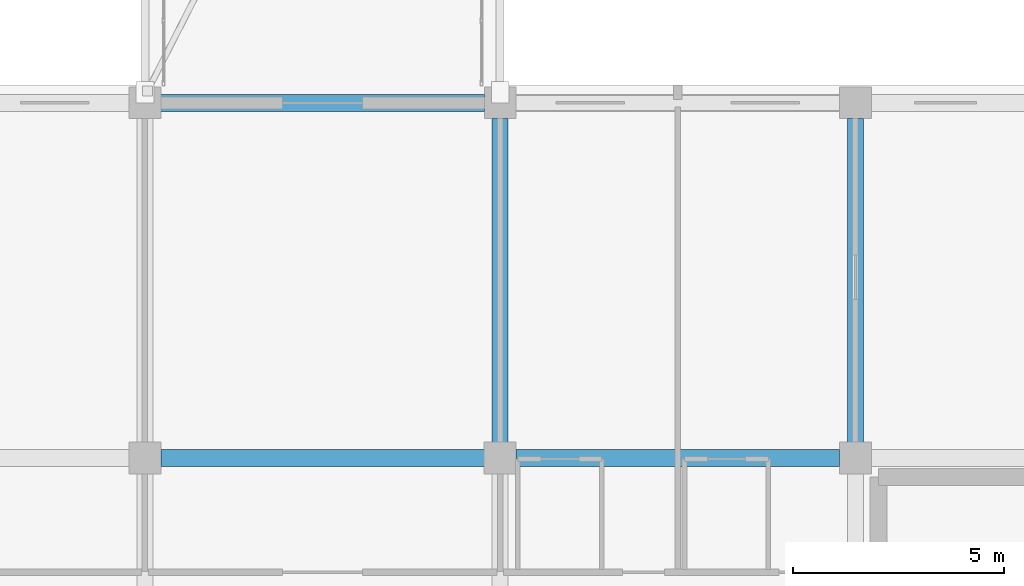
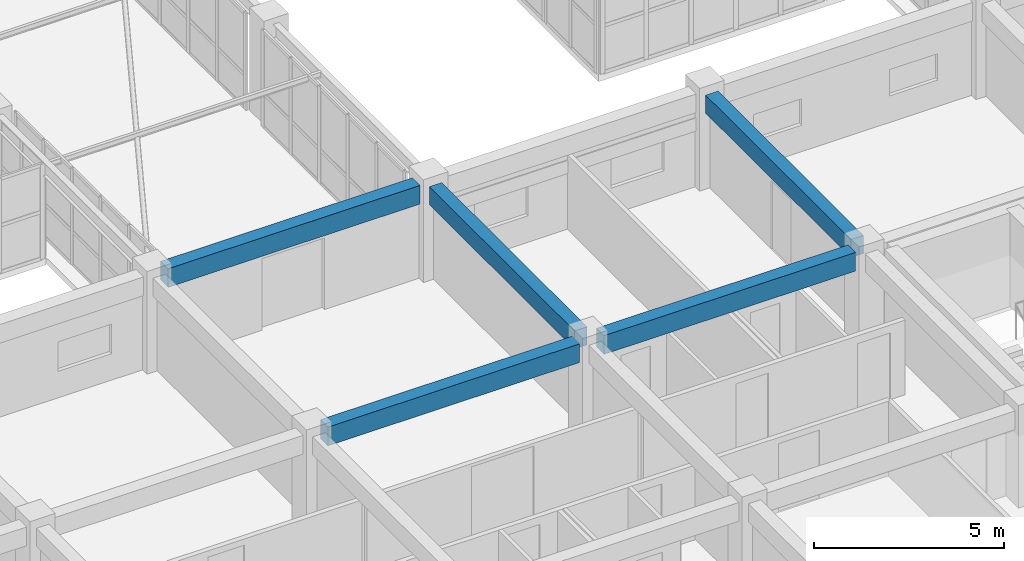
# One storey, part 49 of 200: 5 beams.
"""IFC4 building model written with IfcOpenShell, lengths in metres."""

from ifc_helpers import new_model, si_unit, direction, frame, origin, origin_2d, place, context, subcontext, project, spatial, rectangle, extrude, material, material_profile, profile_set, type_object, element, save


model = new_model("IFC4")

# Units and contexts
model_context = context("Model", 3, precision=1e-05, world=origin(), true_north=direction((0.0, 1.0)))
body_context = subcontext(model_context, "Body", "Model", "MODEL_VIEW")
ifc_project = project(units=[si_unit("LENGTHUNIT", "METRE"), si_unit("AREAUNIT", "SQUARE_METRE"), si_unit("VOLUMEUNIT", "CUBIC_METRE"), si_unit("PLANEANGLEUNIT", "RADIAN"), si_unit("MASSUNIT", "GRAM", prefix="KILO")], contexts=[model_context])

# Site, building, storey
site_placement = place(None, origin())
site = spatial("IfcSite", under=ifc_project, at=site_placement, CompositionType="ELEMENT")
building_placement = place(site_placement, origin())
building = spatial("IfcBuilding", under=site, at=building_placement, Name="Trelvath General Hospital", CompositionType="ELEMENT")
storey_placement = place(building_placement, frame((0.0, 0.0, 4.800048828125)))
storey = spatial("IfcBuildingStorey", under=building, at=storey_placement, Name="L01", CompositionType="ELEMENT", Elevation=4.800048828125)

# Beams
ifc_material_1 = material(Name="Concrete C35/45", Category="concrete")
ifc_material_profile_1 = material_profile(ifc_material_1, rectangle(XDim=0.3798828125, YDim=0.580078125, at=origin_2d()), Name="RCB380x580")
ifc_profile_set_1 = profile_set([ifc_material_profile_1], Name="Concrete C35/45")
beam_type_1 = type_object("IfcBeamType", Name="Beam RC380x580", PredefinedType="BEAM", material=ifc_profile_set_1)
for number, where, z_axis, x_axis, name in (
    (1, (84.0, 17.175048828125, 2.72998046875), (0.0, 1.0, 0.0), (-1.0, 0.0, 0.0), "Grid Beam BY-110C"),
    (2, (92.39990234375, 17.175048828125, 2.72998046875), (0.0, 1.0, 0.0), (-1.0, 0.0, 0.0), "Grid Beam BY-111C"),
):
    element("IfcBeam", number, at=place(storey_placement, frame(where, z_axis=z_axis, x_axis=x_axis)), inside=storey, type_object=beam_type_1, Name=name, PredefinedType="BEAM", context=body_context, shape_type="SweptSolid", body=[
        extrude(rectangle(XDim=0.3798828125, YDim=0.580078125, at=origin_2d()), origin(), (0.0, 0.0, 1.0), 7.655029296875),
    ])
ifc_material_2 = material(Name="Concrete C35/45", Category="concrete")
ifc_material_profile_2 = material_profile(ifc_material_2, rectangle(XDim=0.39990234375, YDim=0.60009765625, at=origin_2d()), Name="RCB400x600")
ifc_profile_set_2 = profile_set([ifc_material_profile_2], Name="Concrete C35/45")
beam_type_2 = type_object("IfcBeamType", Name="Beam RC400x600", PredefinedType="BEAM", material=ifc_profile_set_2)
beam_1_placement = place(storey_placement, frame((75.97509765625, 16.800048828125, 2.719970703125), z_axis=(1.0, 0.0, 0.0), x_axis=(0.0, 1.0, 0.0)))
element("IfcBeam", 3, at=beam_1_placement, inside=storey, type_object=beam_type_2, Name="Grid Beam BX-109C", PredefinedType="BEAM", context=body_context, shape_type="SweptSolid", body=[
    extrude(rectangle(XDim=0.39990234375, YDim=0.60009765625, at=origin_2d()), origin(), (0.0, 0.0, 1.0), 7.64990234375),
])
beam_2_placement = place(storey_placement, frame((75.969970703125, 25.199951171875, 2.719970703125), z_axis=(1.0, 0.0, 0.0), x_axis=(0.0, 1.0, 0.0)))
element("IfcBeam", 4, at=beam_2_placement, inside=storey, type_object=beam_type_2, Name="Grid Beam BX-109D", PredefinedType="BEAM", context=body_context, shape_type="SweptSolid", body=[
    extrude(rectangle(XDim=0.39990234375, YDim=0.60009765625, at=origin_2d()), origin(), (0.0, 0.0, 1.0), 7.659912109375),
])
beam_3_placement = place(storey_placement, frame((84.375, 16.800048828125, 2.719970703125), z_axis=(1.0, 0.0, 0.0), x_axis=(0.0, 1.0, 0.0)))
element("IfcBeam", 5, at=beam_3_placement, inside=storey, type_object=beam_type_2, Name="Grid Beam BX-110C", PredefinedType="BEAM", context=body_context, shape_type="SweptSolid", body=[
    extrude(rectangle(XDim=0.39990234375, YDim=0.60009765625, at=origin_2d()), origin(), (0.0, 0.0, 1.0), 7.64990234375),
])

save(model, "model.ifc")
